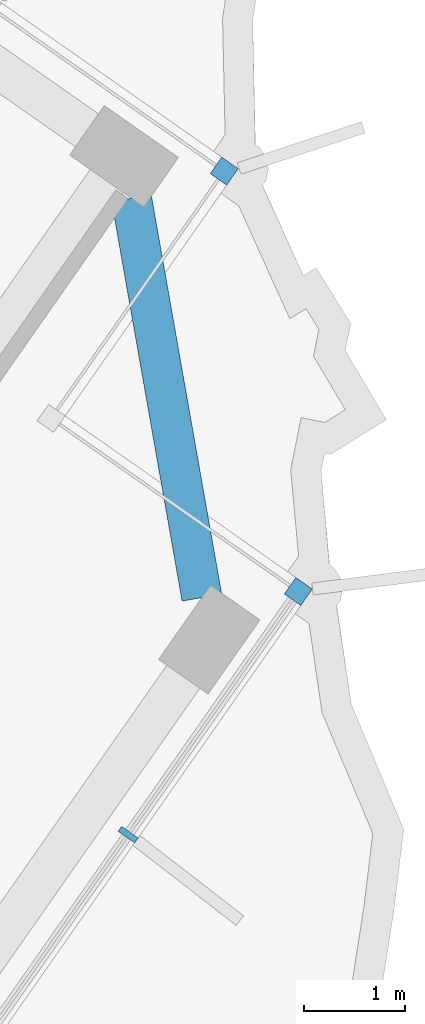
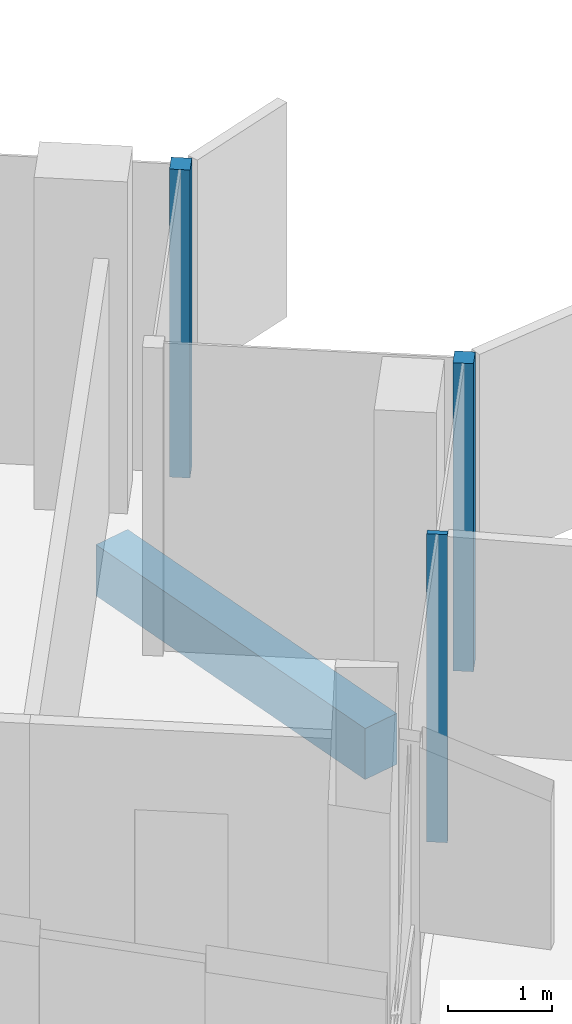
# One storey, part 8 of 20: 3 members, 1 beam, 1 element without a shape of its own.
"""IFC4 building model written with IfcOpenShell, lengths in metres."""

import ifcopenshell
import ifcopenshell.guid

model = None  # the IFC model being written
_history = None  # IfcOwnerHistory: only IFC2X3 demands one
_inside = {}  # id of a spatial element -> (the spatial element, [elements in it])
_under = {}  # id of a project, library or spatial element -> (it, [spatial elements below it])
_declared = {}  # id of a project -> (the project, [libraries it declares])
_typed = {}  # id of a type object -> (the type object, [elements of that type])
_made_of = {}  # id of a material, layer set ... -> (it, [elements and type objects made of it])


def new_model(schema):
    """Start an empty IFC model of exactly this schema.

    Asked for "IFC4X3", IfcOpenShell would pick the latest addendum, in which some entities
    have other attributes; the version numbers below select the first issue.
    IFC2X3 requires an IfcOwnerHistory on every rooted entity: one is made here for all.
    """
    global model, _history
    if schema == "IFC4X3":
        model = ifcopenshell.file(schema_version=(4, 3, 0, 0))
    else:
        model = ifcopenshell.file(schema=schema)
    _inside.clear()
    _under.clear()
    _declared.clear()
    _typed.clear()
    _made_of.clear()
    _history = None
    if model.schema == "IFC2X3":
        org = make("IfcOrganization", Name="unknown")
        user = make(
            "IfcPersonAndOrganization",
            ThePerson=make("IfcPerson", FamilyName="unknown"),
            TheOrganization=org,
        )
        app = make(
            "IfcApplication",
            ApplicationDeveloper=org,
            Version="unknown",
            ApplicationFullName="unknown",
            ApplicationIdentifier="unknown",
        )
        _history = make(
            "IfcOwnerHistory",
            OwningUser=user,
            OwningApplication=app,
            ChangeAction="ADDED",
            CreationDate=0,
        )
    return model


def make(cls, **values):
    """One entity of the class cls with the attributes given. An attribute that is None is left unset."""
    return model.create_entity(
        cls, **{name: value for name, value in values.items() if value is not None}
    )


def rooted(cls, **values):
    """An entity with a GlobalId (a new one), such as an element, a storey or a relation."""
    return make(cls, GlobalId=ifcopenshell.guid.new(), OwnerHistory=_history, **values)


def si_unit(unit_type, name, prefix=None):
    """IfcSIUnit, for example si_unit("LENGTHUNIT", "METRE", prefix="MILLI")."""
    return make("IfcSIUnit", UnitType=unit_type, Prefix=prefix, Name=name)


def assignment(units):
    """IfcUnitAssignment: the units of a project."""
    return None if units is None else make("IfcUnitAssignment", Units=units)


def point(xyz):
    """IfcCartesianPoint."""
    return None if xyz is None else make("IfcCartesianPoint", Coordinates=xyz)


def direction(xyz):
    """IfcDirection."""
    return None if xyz is None else make("IfcDirection", DirectionRatios=xyz)


def frame(location, z_axis=None, x_axis=None):
    """IfcAxis2Placement3D, a coordinate frame: its origin and axes. An axis left out is left unset."""
    return make(
        "IfcAxis2Placement3D",
        Location=point(location),
        Axis=direction(z_axis),
        RefDirection=direction(x_axis),
    )


def frame_2d(location, x_axis=None):
    """IfcAxis2Placement2D, a coordinate frame in the plane: its origin and x axis."""
    return make(
        "IfcAxis2Placement2D", Location=point(location), RefDirection=direction(x_axis)
    )


def origin():
    """The frame at (0, 0, 0) with its axes left unset."""
    return frame((0.0, 0.0, 0.0))


def origin_2d():
    """The frame at (0, 0) in the plane with its x axis left unset."""
    return frame_2d((0.0, 0.0))


def place(relative_to, where):
    """IfcLocalPlacement: puts the frame where relative to a parent placement (None: the world)."""
    return make(
        "IfcLocalPlacement", PlacementRelTo=relative_to, RelativePlacement=where
    )


def context(
    kind, dimensions, precision=None, world=None, true_north=None, identifier=None
):
    """IfcGeometricRepresentationContext, for example the 3D "Model" context."""
    return make(
        "IfcGeometricRepresentationContext",
        ContextIdentifier=identifier,
        ContextType=kind,
        CoordinateSpaceDimension=dimensions,
        Precision=precision,
        WorldCoordinateSystem=world,
        TrueNorth=true_north,
    )


def subcontext(parent, identifier, kind, view, scale=None):
    """IfcGeometricRepresentationSubContext, for example "Body" below "Model"."""
    return make(
        "IfcGeometricRepresentationSubContext",
        ContextIdentifier=identifier,
        ContextType=kind,
        ParentContext=parent,
        TargetScale=scale,
        TargetView=view,
    )


def project(units=None, contexts=None):
    """IfcProject with its units and contexts."""
    return rooted(
        "IfcProject",
        Name="project",
        RepresentationContexts=contexts,
        UnitsInContext=assignment(units),
    )


def spatial(cls, under=None, at=None, **own):
    """A site, building, storey or space (cls), placed at a placement, below another one or the project."""
    s = rooted(cls, ObjectPlacement=at, **own)
    if under is not None:
        _under.setdefault(under.id(), (under, []))[1].append(s)
    return s


def profile(cls, at=None, kind="AREA", **sizes):
    """A parametric profile (cls). Its sizes go by their IFC names, for example OverallWidth=200.0."""
    return make(cls, ProfileType=kind, Position=at, **sizes)


def rectangle(**sizes):
    """IfcRectangleProfileDef."""
    return profile("IfcRectangleProfileDef", **sizes)


def extrude(swept, where, along, depth):
    """IfcExtrudedAreaSolid: the profile swept, set in the frame where, extruded along a direction by depth."""
    return make(
        "IfcExtrudedAreaSolid",
        SweptArea=swept,
        Position=where,
        ExtrudedDirection=direction(along),
        Depth=depth,
    )


def shape(context_of_items, identifier, shape_type, items):
    """IfcShapeRepresentation: the items that make up one representation, for example the "Body"."""
    return make(
        "IfcShapeRepresentation",
        ContextOfItems=context_of_items,
        RepresentationIdentifier=identifier,
        RepresentationType=shape_type,
        Items=items,
    )


def material(Name=None, Category=None):
    """IfcMaterial."""
    return make("IfcMaterial", Name=Name, Category=Category)


def material_profile(
    of_material, cross_section, Name=None, Category=None, Priority=None
):
    """IfcMaterialProfile: a cross section and its material."""
    return make(
        "IfcMaterialProfile",
        Name=Name,
        Material=of_material,
        Profile=cross_section,
        Priority=Priority,
        Category=Category,
    )


def profile_set(profiles, Name=None, composite=None):
    """IfcMaterialProfileSet."""
    return make(
        "IfcMaterialProfileSet",
        Name=Name,
        MaterialProfiles=profiles,
        CompositeProfile=composite,
    )


def made_of(thing, what):
    """Note that an element or type object is made of a material, layer set ...; save() writes the relation."""
    if what is not None:
        _made_of.setdefault(what.id(), (what, []))[1].append(thing)
    return thing


def type_object(cls, material=None, **own):
    """A type object (cls), such as IfcWallType, which elements share."""
    return made_of(rooted(cls, **own), material)


def element(
    cls,
    number,
    at=None,
    inside=None,
    cuts=None,
    type_object=None,
    material=None,
    context=None,
    identifier="Body",
    shape_type=None,
    held_by="IfcProductDefinitionShape",
    body=None,
    shapes=None,
    **own,
):
    """One element of the class cls, such as IfcWall. Its Tag is "e" and its number.

    at: its placement. inside: the storey or other place that contains it. cuts: it is an
    opening in that element (IfcRelVoidsElement). A single representation is given by context,
    identifier, shape_type and body (its items); several are given by shapes. held_by: the class
    of the entity that holds the representations. save() writes the other relations.
    """
    e = rooted(cls, Tag="e%d" % number, ObjectPlacement=at, **own)
    if body is not None:
        shapes = [shape(context, identifier, shape_type, body)]
    if shapes is not None:
        e.Representation = make(held_by, Representations=shapes)
    if inside is not None:
        _inside.setdefault(inside.id(), (inside, []))[1].append(e)
    if cuts is not None:
        rooted(
            "IfcRelVoidsElement", RelatingBuildingElement=cuts, RelatedOpeningElement=e
        )
    if type_object is not None:
        _typed.setdefault(type_object.id(), (type_object, []))[1].append(e)
    return made_of(e, material)


def aggregate(whole, parts):
    """IfcRelAggregates: a whole, such as a stair, and the parts it consists of."""
    return rooted("IfcRelAggregates", RelatingObject=whole, RelatedObjects=parts)


def save(model, path):
    """Write the relations noted so far, then the file.

    IfcRelAggregates (storeys below a building ...), IfcRelContainedInSpatialStructure (elements
    in a storey), IfcRelDefinesByType, IfcRelAssociatesMaterial and IfcRelDeclares: one each for
    every whole, place, type object, material and project.
    """
    for whole, parts in _under.values():
        aggregate(whole, parts)
    for where, things in _inside.values():
        rooted(
            "IfcRelContainedInSpatialStructure",
            RelatedElements=things,
            RelatingStructure=where,
        )
    for kind, things in _typed.values():
        rooted("IfcRelDefinesByType", RelatedObjects=things, RelatingType=kind)
    for what, things in _made_of.values():
        rooted("IfcRelAssociatesMaterial", RelatedObjects=things, RelatingMaterial=what)
    for by, libraries in _declared.values():
        rooted("IfcRelDeclares", RelatingContext=by, RelatedDefinitions=libraries)
    model.write(path)


model = new_model("IFC4")

# Units and contexts
model_context = context("Model", 3, precision=1e-05, world=origin(), true_north=direction((0.0, 1.0)))
body_context = subcontext(model_context, "Body", "Model", "MODEL_VIEW")
ifc_project = project(units=[si_unit("LENGTHUNIT", "METRE"), si_unit("AREAUNIT", "SQUARE_METRE"), si_unit("VOLUMEUNIT", "CUBIC_METRE"), si_unit("PLANEANGLEUNIT", "RADIAN"), si_unit("MASSUNIT", "GRAM", prefix="KILO")], contexts=[model_context])

# Site, building, storey
site_placement = place(None, origin())
site = spatial("IfcSite", under=ifc_project, at=site_placement, CompositionType="ELEMENT")
building_placement = place(site_placement, origin())
building = spatial("IfcBuilding", under=site, at=building_placement, Name="Tel Ilan Convention Tower", CompositionType="ELEMENT")
storey_placement = place(building_placement, frame((0.0, 0.0, 229.300048828125)))
storey = spatial("IfcBuildingStorey", under=building, at=storey_placement, Name="L53", CompositionType="ELEMENT", Elevation=229.300048828125)

# Beam
ifc_material_1 = material(Name="Concrete C40/50", Category="concrete")
ifc_material_profile_1 = material_profile(ifc_material_1, rectangle(XDim=0.39990234375, YDim=0.60009765625, at=origin_2d()), Name="RC 400x600")
ifc_profile_set_1 = profile_set([ifc_material_profile_1], Name="Concrete C40/50")
beam_type = type_object("IfcBeamType", Name="Beam RC 400x600 Concrete C40/50", PredefinedType="BEAM", material=ifc_profile_set_1)
beam_placement = place(storey_placement, frame((31.742919921875, -17.343505859375, -0.580078125), z_axis=(-0.173664388751, 0.984804894423, 0.0), x_axis=(-0.984804894423, -0.173664388751, 0.0)))
element("IfcBeam", 1, at=beam_placement, inside=storey, type_object=beam_type, Name="L53 beam E-E-E3-E-BC", PredefinedType="BEAM", context=body_context, shape_type="SweptSolid", body=[
    extrude(rectangle(XDim=0.39990234375, YDim=0.60009765625, at=origin_2d()), origin(), (0.0, 0.0, 1.0), 4.030517578125),
])

# Curtain wall, members
ifc_material_2 = material(Name="Aluminium, bronze anodised", Category="aluminium")
curtain_wall_type = type_object("IfcCurtainWallType", Name="CW5 STICK CURTAIN WALL, UPPER OFFICE LOW-IRON TINTED GLASS", PredefinedType="NOTDEFINED", material=ifc_material_2)
curtain_wall_placement = place(storey_placement, origin())
curtain_wall = element("IfcCurtainWall", 2, at=curtain_wall_placement, inside=storey, type_object=curtain_wall_type, Name="Curtain wall CW5-42.02", PredefinedType="NOTDEFINED")
ifc_material_3 = material(Name="Aluminium, bronze anodised", Category="aluminium")
ifc_material_profile_2 = material_profile(ifc_material_3, rectangle(XDim=0.199951171875, YDim=0.199951171875, at=origin_2d()), Name="CW CORNER MULLION 200x200")
ifc_profile_set_2 = profile_set([ifc_material_profile_2], Name="Aluminium, bronze anodised")
member_type_1 = type_object("IfcMemberType", Name="CW CORNER MULLION 200x200", PredefinedType="MULLION", material=ifc_profile_set_2)
member_1_placement = place(storey_placement, frame((32.701416015625, -17.2822265625, 0.0), z_axis=(0.0, 0.0, 1.0), x_axis=(0.573576436351, 0.819152044289, 0.0)))
member_1 = element("IfcMember", 3, at=member_1_placement, type_object=member_type_1, Name="Corner mullion", PredefinedType="MULLION", context=body_context, shape_type="SweptSolid", body=[
    extrude(rectangle(XDim=0.199951171875, YDim=0.199951171875, at=origin_2d()), origin(), (0.0, 0.0, 1.0), 3.619873046875),
])
member_2_placement = place(storey_placement, frame((31.964599609375, -13.10400390625, 0.0), z_axis=(0.0, 0.0, 1.0), x_axis=(0.573576436351, 0.819152044289, 0.0)))
member_2 = element("IfcMember", 4, at=member_2_placement, type_object=member_type_1, Name="Corner mullion", PredefinedType="MULLION", context=body_context, shape_type="SweptSolid", body=[
    extrude(rectangle(XDim=0.199951171875, YDim=0.199951171875, at=origin_2d()), origin(), (0.0, 0.0, 1.0), 3.619873046875),
])
ifc_material_4 = material(Name="Aluminium, bronze anodised", Category="aluminium")
ifc_material_profile_3 = material_profile(ifc_material_4, rectangle(XDim=0.06005859375, YDim=0.199951171875, at=origin_2d()), Name="CW MULLION 60x200")
ifc_profile_set_3 = profile_set([ifc_material_profile_3], Name="Aluminium, bronze anodised")
member_type_2 = type_object("IfcMemberType", Name="CW MULLION 60x200", PredefinedType="MULLION", material=ifc_profile_set_3)
member_3_placement = place(storey_placement, frame((31.00927734375, -19.69873046875, 0.0), z_axis=(0.0, 0.0, 1.0), x_axis=(0.573576436351, 0.819152044289, 0.0)))
member_3 = element("IfcMember", 5, at=member_3_placement, type_object=member_type_2, Name="Mullion", PredefinedType="MULLION", context=body_context, shape_type="SweptSolid", body=[
    extrude(rectangle(XDim=0.06005859375, YDim=0.199951171875, at=origin_2d()), origin(), (0.0, 0.0, 1.0), 3.619873046875),
])
aggregate(curtain_wall, [member_3, member_1, member_2])

save(model, "model.ifc")
